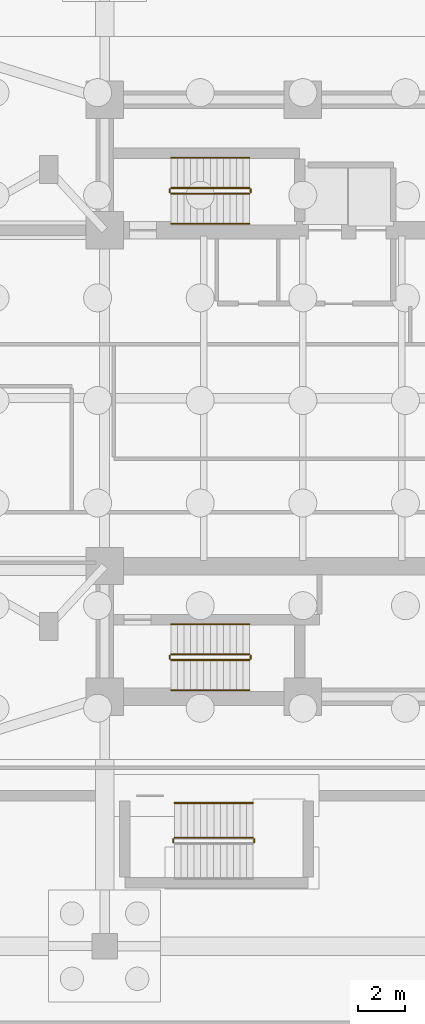
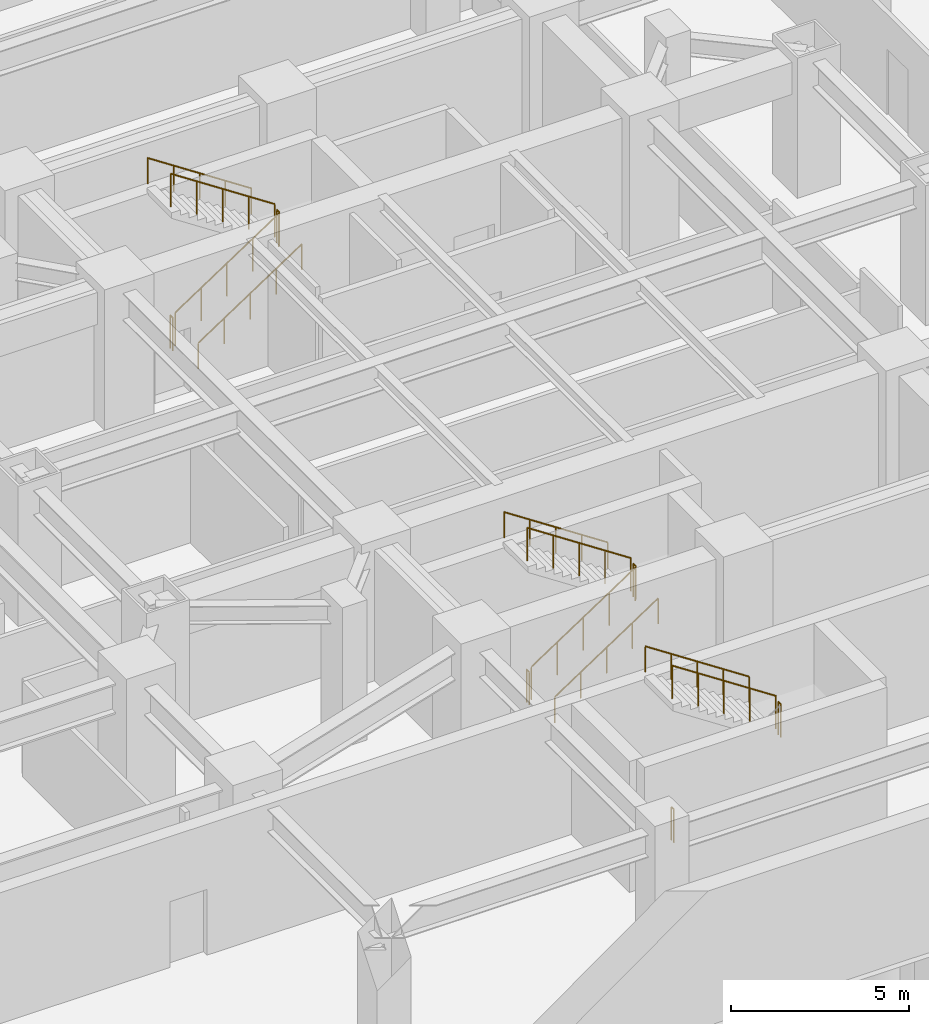
# One storey, part 15 of 16: 16 railings.
"""IFC4 building model written with IfcOpenShell, lengths in metres."""

from ifc_helpers import new_model, si_unit, direction, frame, origin, origin_2d, place, context, subcontext, project, spatial, circle, extrude, material, type_object, element, save


model = new_model("IFC4")

# Units and contexts
model_context = context("Model", 3, precision=1e-05, world=origin(), true_north=direction((0.0, 1.0)))
body_context = subcontext(model_context, "Body", "Model", "MODEL_VIEW")
ifc_project = project(units=[si_unit("LENGTHUNIT", "METRE"), si_unit("AREAUNIT", "SQUARE_METRE"), si_unit("VOLUMEUNIT", "CUBIC_METRE"), si_unit("PLANEANGLEUNIT", "RADIAN"), si_unit("MASSUNIT", "GRAM", prefix="KILO")], contexts=[model_context])

# Site, building, storey
site_placement = place(None, origin())
site = spatial("IfcSite", under=ifc_project, at=site_placement, CompositionType="ELEMENT")
building_placement = place(site_placement, origin())
building = spatial("IfcBuilding", under=site, at=building_placement, Name="Mirazonda Arch Towers", CompositionType="ELEMENT")
storey_placement = place(building_placement, frame((0.0, 0.0, -4.800048828125)))
storey = spatial("IfcBuildingStorey", under=building, at=storey_placement, Name="B1", CompositionType="ELEMENT", Elevation=-4.800048828125)

# Railings
ifc_material = material(Name="Architectural Brushed Steel S355", Category="steel")
railing_type_1 = type_object("IfcRailingType", Name="GUARD-STAIR-1120", PredefinedType="GUARDRAIL", material=ifc_material)
railing_1_placement = place(storey_placement, frame((70.85009765625, 36.77001953125, 0.1845703125)))
element("IfcRailing", 1, at=railing_1_placement, inside=storey, type_object=railing_type_1, Name="B1 ST-T2N stair guard 1", PredefinedType="GUARDRAIL", context=body_context, shape_type="SweptSolid", body=[
    extrude(circle(Radius=0.02392578125, at=origin_2d()), frame((0.0, 0.0, 1.1259765625), z_axis=(0.83483021737, 0.0, 0.550507500554), x_axis=(0.0, 1.0, 0.0)), (0.0, 0.0, 1.0), 4.024658203125),
    extrude(circle(Radius=0.02099609375, at=origin_2d()), origin(), (0.0, 0.0, 1.0), 1.101806640625),
    extrude(circle(Radius=0.02099609375, at=origin_2d()), frame((0.83984375, 0.0, 0.553955078125)), (0.0, 0.0, 1.0), 1.101806640625),
    extrude(circle(Radius=0.02099609375, at=origin_2d()), frame((1.679931640625, 0.0, 1.10791015625)), (0.0, 0.0, 1.0), 1.101806640625),
    extrude(circle(Radius=0.02099609375, at=origin_2d()), frame((2.52001953125, 0.0, 1.66162109375)), (0.0, 0.0, 1.0), 1.101806640625),
    extrude(circle(Radius=0.02099609375, at=origin_2d()), frame((3.35986328125, 0.0, 2.215576171875)), (0.0, 0.0, 1.0), 1.101806640625),
])
railing_2_placement = place(storey_placement, frame((74.260009765625, 36.820068359375, 2.400146484375)))
element("IfcRailing", 2, at=railing_2_placement, inside=storey, type_object=railing_type_1, Name="B1 ST-T2N stair guard 2", PredefinedType="GUARDRAIL", context=body_context, shape_type="SweptSolid", body=[
    extrude(circle(Radius=0.02392578125, at=origin_2d()), frame((0.0, 0.0, 1.1259765625), z_axis=(0.0, 1.0, 0.0), x_axis=(-1.0, 0.0, 0.0)), (0.0, 0.0, 1.0), 0.139892578125),
    extrude(circle(Radius=0.02099609375, at=origin_2d()), origin(), (0.0, 0.0, 1.0), 1.101806640625),
    extrude(circle(Radius=0.02099609375, at=origin_2d()), frame((0.0, 0.139892578125, 0.0)), (0.0, 0.0, 1.0), 1.101806640625),
])
railing_3_placement = place(storey_placement, frame((74.2099609375, 37.010009765625, 2.584716796875)))
element("IfcRailing", 3, at=railing_3_placement, inside=storey, type_object=railing_type_1, Name="B1 ST-T2N stair guard 3", PredefinedType="GUARDRAIL", context=body_context, shape_type="SweptSolid", body=[
    extrude(circle(Radius=0.02392578125, at=origin_2d()), frame((0.0, 0.0, 1.1259765625), z_axis=(-0.834858096282, 0.0, 0.550465220583), x_axis=(0.0, -1.0, 0.0)), (0.0, 0.0, 1.0), 4.0244140625),
    extrude(circle(Radius=0.02099609375, at=origin_2d()), origin(), (0.0, 0.0, 1.0), 1.101806640625),
    extrude(circle(Radius=0.02099609375, at=origin_2d()), frame((-0.83984375, 0.0, 0.5537109375)), (0.0, 0.0, 1.0), 1.101806640625),
    extrude(circle(Radius=0.02099609375, at=origin_2d()), frame((-1.679931640625, 0.0, 1.107666015625)), (0.0, 0.0, 1.0), 1.101806640625),
    extrude(circle(Radius=0.02099609375, at=origin_2d()), frame((-2.52001953125, 0.0, 1.66162109375)), (0.0, 0.0, 1.0), 1.101806640625),
    extrude(circle(Radius=0.02099609375, at=origin_2d()), frame((-3.35986328125, 0.0, 2.21533203125)), (0.0, 0.0, 1.0), 1.101806640625),
])
railing_4_placement = place(storey_placement, frame((70.800048828125, 36.820068359375, 0.0)))
element("IfcRailing", 4, at=railing_4_placement, inside=storey, type_object=railing_type_1, Name="B1 ST-T2N stair guard 4", PredefinedType="GUARDRAIL", context=body_context, shape_type="SweptSolid", body=[
    extrude(circle(Radius=0.02392578125, at=origin_2d()), frame((0.0, 0.0, 1.1259765625), z_axis=(0.0, 1.0, 0.0), x_axis=(-1.0, 0.0, 0.0)), (0.0, 0.0, 1.0), 0.139892578125),
    extrude(circle(Radius=0.02099609375, at=origin_2d()), origin(), (0.0, 0.0, 1.0), 1.101806640625),
    extrude(circle(Radius=0.02099609375, at=origin_2d()), frame((0.0, 0.139892578125, 0.0)), (0.0, 0.0, 1.0), 1.101806640625),
])
railing_5_placement = place(storey_placement, frame((70.85009765625, 16.77001953125, 0.1845703125)))
element("IfcRailing", 5, at=railing_5_placement, inside=storey, type_object=railing_type_1, Name="B1 ST-T2S stair guard 1", PredefinedType="GUARDRAIL", context=body_context, shape_type="SweptSolid", body=[
    extrude(circle(Radius=0.02392578125, at=origin_2d()), frame((0.0, 0.0, 1.1259765625), z_axis=(0.83483021737, 0.0, 0.550507500554), x_axis=(0.0, 1.0, 0.0)), (0.0, 0.0, 1.0), 4.024658203125),
    extrude(circle(Radius=0.02099609375, at=origin_2d()), origin(), (0.0, 0.0, 1.0), 1.101806640625),
    extrude(circle(Radius=0.02099609375, at=origin_2d()), frame((0.83984375, 0.0, 0.553955078125)), (0.0, 0.0, 1.0), 1.101806640625),
    extrude(circle(Radius=0.02099609375, at=origin_2d()), frame((1.679931640625, 0.0, 1.10791015625)), (0.0, 0.0, 1.0), 1.101806640625),
    extrude(circle(Radius=0.02099609375, at=origin_2d()), frame((2.52001953125, 0.0, 1.66162109375)), (0.0, 0.0, 1.0), 1.101806640625),
    extrude(circle(Radius=0.02099609375, at=origin_2d()), frame((3.35986328125, 0.0, 2.215576171875)), (0.0, 0.0, 1.0), 1.101806640625),
])
railing_6_placement = place(storey_placement, frame((74.260009765625, 16.820068359375, 2.400146484375)))
element("IfcRailing", 6, at=railing_6_placement, inside=storey, type_object=railing_type_1, Name="B1 ST-T2S stair guard 2", PredefinedType="GUARDRAIL", context=body_context, shape_type="SweptSolid", body=[
    extrude(circle(Radius=0.02392578125, at=origin_2d()), frame((0.0, 0.0, 1.1259765625), z_axis=(0.0, 1.0, 0.0), x_axis=(-1.0, 0.0, 0.0)), (0.0, 0.0, 1.0), 0.139892578125),
    extrude(circle(Radius=0.02099609375, at=origin_2d()), origin(), (0.0, 0.0, 1.0), 1.101806640625),
    extrude(circle(Radius=0.02099609375, at=origin_2d()), frame((0.0, 0.139892578125, 0.0)), (0.0, 0.0, 1.0), 1.101806640625),
])
railing_7_placement = place(storey_placement, frame((74.2099609375, 17.010009765625, 2.584716796875)))
element("IfcRailing", 7, at=railing_7_placement, inside=storey, type_object=railing_type_1, Name="B1 ST-T2S stair guard 3", PredefinedType="GUARDRAIL", context=body_context, shape_type="SweptSolid", body=[
    extrude(circle(Radius=0.02392578125, at=origin_2d()), frame((0.0, 0.0, 1.1259765625), z_axis=(-0.834858096282, 0.0, 0.550465220583), x_axis=(0.0, -1.0, 0.0)), (0.0, 0.0, 1.0), 4.0244140625),
    extrude(circle(Radius=0.02099609375, at=origin_2d()), origin(), (0.0, 0.0, 1.0), 1.101806640625),
    extrude(circle(Radius=0.02099609375, at=origin_2d()), frame((-0.83984375, 0.0, 0.5537109375)), (0.0, 0.0, 1.0), 1.101806640625),
    extrude(circle(Radius=0.02099609375, at=origin_2d()), frame((-1.679931640625, 0.0, 1.107666015625)), (0.0, 0.0, 1.0), 1.101806640625),
    extrude(circle(Radius=0.02099609375, at=origin_2d()), frame((-2.52001953125, 0.0, 1.66162109375)), (0.0, 0.0, 1.0), 1.101806640625),
    extrude(circle(Radius=0.02099609375, at=origin_2d()), frame((-3.35986328125, 0.0, 2.21533203125)), (0.0, 0.0, 1.0), 1.101806640625),
])
railing_8_placement = place(storey_placement, frame((70.800048828125, 16.820068359375, 0.0)))
element("IfcRailing", 8, at=railing_8_placement, inside=storey, type_object=railing_type_1, Name="B1 ST-T2S stair guard 4", PredefinedType="GUARDRAIL", context=body_context, shape_type="SweptSolid", body=[
    extrude(circle(Radius=0.02392578125, at=origin_2d()), frame((0.0, 0.0, 1.1259765625), z_axis=(0.0, 1.0, 0.0), x_axis=(-1.0, 0.0, 0.0)), (0.0, 0.0, 1.0), 0.139892578125),
    extrude(circle(Radius=0.02099609375, at=origin_2d()), origin(), (0.0, 0.0, 1.0), 1.101806640625),
    extrude(circle(Radius=0.02099609375, at=origin_2d()), frame((0.0, 0.139892578125, 0.0)), (0.0, 0.0, 1.0), 1.101806640625),
])
railing_9_placement = place(storey_placement, frame((74.409912109375, 8.949951171875, 2.400146484375)))
element("IfcRailing", 9, at=railing_9_placement, inside=storey, type_object=railing_type_1, Name="B1 ST-POD2 stair guard 2", PredefinedType="GUARDRAIL", context=body_context, shape_type="SweptSolid", body=[
    extrude(circle(Radius=0.02392578125, at=origin_2d()), frame((0.0, 0.0, 1.1259765625), z_axis=(0.0, 1.0, 0.0), x_axis=(-1.0, 0.0, 0.0)), (0.0, 0.0, 1.0), 0.14013671875),
    extrude(circle(Radius=0.02099609375, at=origin_2d()), origin(), (0.0, 0.0, 1.0), 1.101806640625),
    extrude(circle(Radius=0.02099609375, at=origin_2d()), frame((0.0, 0.14013671875, 0.0)), (0.0, 0.0, 1.0), 1.101806640625),
])
railing_10_placement = place(storey_placement, frame((74.360107421875, 9.139892578125, 2.584716796875)))
element("IfcRailing", 10, at=railing_10_placement, inside=storey, type_object=railing_type_1, Name="B1 ST-POD2 stair guard 3", PredefinedType="GUARDRAIL", context=body_context, shape_type="SweptSolid", body=[
    extrude(circle(Radius=0.02392578125, at=origin_2d()), frame((0.0, 0.0, 1.1259765625), z_axis=(-0.834876476806, 0.0, 0.550437342915), x_axis=(0.0, -1.0, 0.0)), (0.0, 0.0, 1.0), 4.024658203125),
    extrude(circle(Radius=0.02099609375, at=origin_2d()), origin(), (0.0, 0.0, 1.0), 1.101806640625),
    extrude(circle(Radius=0.02099609375, at=origin_2d()), frame((-0.840087890625, 0.0, 0.5537109375)), (0.0, 0.0, 1.0), 1.101806640625),
    extrude(circle(Radius=0.02099609375, at=origin_2d()), frame((-1.68017578125, 0.0, 1.107666015625)), (0.0, 0.0, 1.0), 1.101806640625),
    extrude(circle(Radius=0.02099609375, at=origin_2d()), frame((-2.52001953125, 0.0, 1.66162109375)), (0.0, 0.0, 1.0), 1.101806640625),
    extrude(circle(Radius=0.02099609375, at=origin_2d()), frame((-3.360107421875, 0.0, 2.21533203125)), (0.0, 0.0, 1.0), 1.101806640625),
])
railing_11_placement = place(storey_placement, frame((70.949951171875, 8.949951171875, 0.0)))
element("IfcRailing", 11, at=railing_11_placement, inside=storey, type_object=railing_type_1, Name="B1 ST-POD2 stair guard 4", PredefinedType="GUARDRAIL", context=body_context, shape_type="SweptSolid", body=[
    extrude(circle(Radius=0.02392578125, at=origin_2d()), frame((0.0, 0.0, 1.1259765625), z_axis=(0.0, 1.0, 0.0), x_axis=(-1.0, 0.0, 0.0)), (0.0, 0.0, 1.0), 0.14013671875),
    extrude(circle(Radius=0.02099609375, at=origin_2d()), origin(), (0.0, 0.0, 1.0), 1.101806640625),
    extrude(circle(Radius=0.02099609375, at=origin_2d()), frame((0.0, 0.14013671875, 0.0)), (0.0, 0.0, 1.0), 1.101806640625),
])
railing_type_2 = type_object("IfcRailingType", Name="HANDRAIL-915", PredefinedType="HANDRAIL", material=ifc_material)
railing_12_placement = place(storey_placement, frame((70.85009765625, 35.469970703125, 0.1845703125)))
element("IfcRailing", 12, at=railing_12_placement, inside=storey, type_object=railing_type_2, Name="B1 ST-T2N stair handrail 1", PredefinedType="HANDRAIL", context=body_context, shape_type="SweptSolid", body=[
    extrude(circle(Radius=0.02392578125, at=origin_2d()), frame((0.0, 0.0, 0.8759765625), z_axis=(0.83483021737, 0.0, 0.550507500554), x_axis=(0.0, 1.0, 0.0)), (0.0, 0.0, 1.0), 4.024658203125),
    extrude(circle(Radius=0.02099609375, at=origin_2d()), origin(), (0.0, 0.0, 1.0), 0.851806640625),
    extrude(circle(Radius=0.02099609375, at=origin_2d()), frame((0.83984375, 0.0, 0.553955078125)), (0.0, 0.0, 1.0), 0.851806640625),
    extrude(circle(Radius=0.02099609375, at=origin_2d()), frame((1.679931640625, 0.0, 1.10791015625)), (0.0, 0.0, 1.0), 0.851806640625),
    extrude(circle(Radius=0.02099609375, at=origin_2d()), frame((2.52001953125, 0.0, 1.66162109375)), (0.0, 0.0, 1.0), 0.851806640625),
    extrude(circle(Radius=0.02099609375, at=origin_2d()), frame((3.35986328125, 0.0, 2.215576171875)), (0.0, 0.0, 1.0), 0.851806640625),
])
railing_13_placement = place(storey_placement, frame((74.2099609375, 38.31005859375, 2.584716796875)))
element("IfcRailing", 13, at=railing_13_placement, inside=storey, type_object=railing_type_2, Name="B1 ST-T2N stair handrail 2", PredefinedType="HANDRAIL", context=body_context, shape_type="SweptSolid", body=[
    extrude(circle(Radius=0.02392578125, at=origin_2d()), frame((0.0, 0.0, 0.8759765625), z_axis=(-0.834858096282, 0.0, 0.550465220583), x_axis=(0.0, -1.0, 0.0)), (0.0, 0.0, 1.0), 4.0244140625),
    extrude(circle(Radius=0.02099609375, at=origin_2d()), origin(), (0.0, 0.0, 1.0), 0.851806640625),
    extrude(circle(Radius=0.02099609375, at=origin_2d()), frame((-0.83984375, 0.0, 0.5537109375)), (0.0, 0.0, 1.0), 0.851806640625),
    extrude(circle(Radius=0.02099609375, at=origin_2d()), frame((-1.679931640625, 0.0, 1.107666015625)), (0.0, 0.0, 1.0), 0.851806640625),
    extrude(circle(Radius=0.02099609375, at=origin_2d()), frame((-2.52001953125, 0.0, 1.66162109375)), (0.0, 0.0, 1.0), 0.851806640625),
    extrude(circle(Radius=0.02099609375, at=origin_2d()), frame((-3.35986328125, 0.0, 2.21533203125)), (0.0, 0.0, 1.0), 0.851806640625),
])
railing_14_placement = place(storey_placement, frame((70.85009765625, 15.469970703125, 0.1845703125)))
element("IfcRailing", 14, at=railing_14_placement, inside=storey, type_object=railing_type_2, Name="B1 ST-T2S stair handrail 1", PredefinedType="HANDRAIL", context=body_context, shape_type="SweptSolid", body=[
    extrude(circle(Radius=0.02392578125, at=origin_2d()), frame((0.0, 0.0, 0.8759765625), z_axis=(0.83483021737, 0.0, 0.550507500554), x_axis=(0.0, 1.0, 0.0)), (0.0, 0.0, 1.0), 4.024658203125),
    extrude(circle(Radius=0.02099609375, at=origin_2d()), origin(), (0.0, 0.0, 1.0), 0.851806640625),
    extrude(circle(Radius=0.02099609375, at=origin_2d()), frame((0.83984375, 0.0, 0.553955078125)), (0.0, 0.0, 1.0), 0.851806640625),
    extrude(circle(Radius=0.02099609375, at=origin_2d()), frame((1.679931640625, 0.0, 1.10791015625)), (0.0, 0.0, 1.0), 0.851806640625),
    extrude(circle(Radius=0.02099609375, at=origin_2d()), frame((2.52001953125, 0.0, 1.66162109375)), (0.0, 0.0, 1.0), 0.851806640625),
    extrude(circle(Radius=0.02099609375, at=origin_2d()), frame((3.35986328125, 0.0, 2.215576171875)), (0.0, 0.0, 1.0), 0.851806640625),
])
railing_15_placement = place(storey_placement, frame((74.2099609375, 18.31005859375, 2.584716796875)))
element("IfcRailing", 15, at=railing_15_placement, inside=storey, type_object=railing_type_2, Name="B1 ST-T2S stair handrail 2", PredefinedType="HANDRAIL", context=body_context, shape_type="SweptSolid", body=[
    extrude(circle(Radius=0.02392578125, at=origin_2d()), frame((0.0, 0.0, 0.8759765625), z_axis=(-0.834858096282, 0.0, 0.550465220583), x_axis=(0.0, -1.0, 0.0)), (0.0, 0.0, 1.0), 4.0244140625),
    extrude(circle(Radius=0.02099609375, at=origin_2d()), origin(), (0.0, 0.0, 1.0), 0.851806640625),
    extrude(circle(Radius=0.02099609375, at=origin_2d()), frame((-0.83984375, 0.0, 0.5537109375)), (0.0, 0.0, 1.0), 0.851806640625),
    extrude(circle(Radius=0.02099609375, at=origin_2d()), frame((-1.679931640625, 0.0, 1.107666015625)), (0.0, 0.0, 1.0), 0.851806640625),
    extrude(circle(Radius=0.02099609375, at=origin_2d()), frame((-2.52001953125, 0.0, 1.66162109375)), (0.0, 0.0, 1.0), 0.851806640625),
    extrude(circle(Radius=0.02099609375, at=origin_2d()), frame((-3.35986328125, 0.0, 2.21533203125)), (0.0, 0.0, 1.0), 0.851806640625),
])
railing_16_placement = place(storey_placement, frame((74.360107421875, 10.639892578125, 2.584716796875)))
element("IfcRailing", 16, at=railing_16_placement, inside=storey, type_object=railing_type_2, Name="B1 ST-POD2 stair handrail 2", PredefinedType="HANDRAIL", context=body_context, shape_type="SweptSolid", body=[
    extrude(circle(Radius=0.02392578125, at=origin_2d()), frame((0.0, 0.0, 0.8759765625), z_axis=(-0.834876476806, 0.0, 0.550437342915), x_axis=(0.0, -1.0, 0.0)), (0.0, 0.0, 1.0), 4.024658203125),
    extrude(circle(Radius=0.02099609375, at=origin_2d()), origin(), (0.0, 0.0, 1.0), 0.851806640625),
    extrude(circle(Radius=0.02099609375, at=origin_2d()), frame((-0.840087890625, 0.0, 0.5537109375)), (0.0, 0.0, 1.0), 0.851806640625),
    extrude(circle(Radius=0.02099609375, at=origin_2d()), frame((-1.68017578125, 0.0, 1.107666015625)), (0.0, 0.0, 1.0), 0.851806640625),
    extrude(circle(Radius=0.02099609375, at=origin_2d()), frame((-2.52001953125, 0.0, 1.66162109375)), (0.0, 0.0, 1.0), 0.851806640625),
    extrude(circle(Radius=0.02099609375, at=origin_2d()), frame((-3.360107421875, 0.0, 2.21533203125)), (0.0, 0.0, 1.0), 0.851806640625),
])

save(model, "model.ifc")
